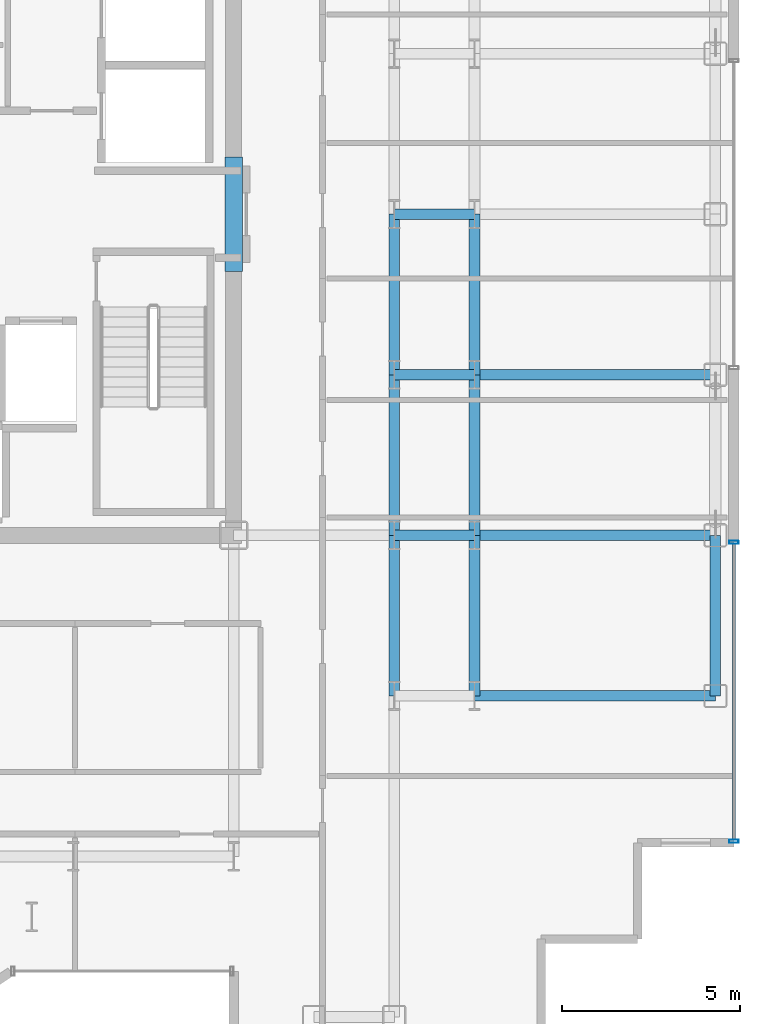
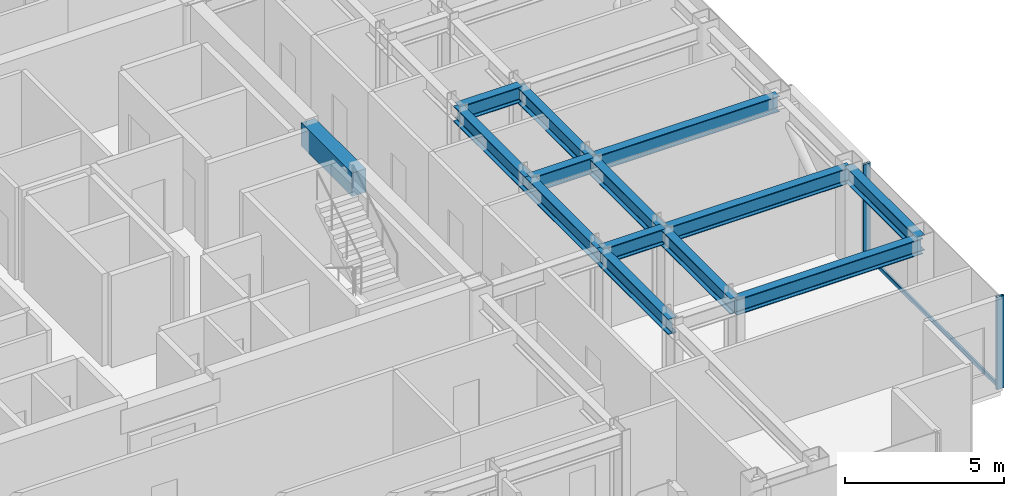
# One storey, part 7 of 21: 14 beams, 3 members, 1 element without a shape of its own.
"""IFC4 building model written with IfcOpenShell, lengths in metres."""

import ifcopenshell
import ifcopenshell.guid

model = None  # the IFC model being written
_history = None  # IfcOwnerHistory: only IFC2X3 demands one
_inside = {}  # id of a spatial element -> (the spatial element, [elements in it])
_under = {}  # id of a project, library or spatial element -> (it, [spatial elements below it])
_declared = {}  # id of a project -> (the project, [libraries it declares])
_typed = {}  # id of a type object -> (the type object, [elements of that type])
_made_of = {}  # id of a material, layer set ... -> (it, [elements and type objects made of it])


def new_model(schema):
    """Start an empty IFC model of exactly this schema.

    Asked for "IFC4X3", IfcOpenShell would pick the latest addendum, in which some entities
    have other attributes; the version numbers below select the first issue.
    IFC2X3 requires an IfcOwnerHistory on every rooted entity: one is made here for all.
    """
    global model, _history
    if schema == "IFC4X3":
        model = ifcopenshell.file(schema_version=(4, 3, 0, 0))
    else:
        model = ifcopenshell.file(schema=schema)
    _inside.clear()
    _under.clear()
    _declared.clear()
    _typed.clear()
    _made_of.clear()
    _history = None
    if model.schema == "IFC2X3":
        org = make("IfcOrganization", Name="unknown")
        user = make(
            "IfcPersonAndOrganization",
            ThePerson=make("IfcPerson", FamilyName="unknown"),
            TheOrganization=org,
        )
        app = make(
            "IfcApplication",
            ApplicationDeveloper=org,
            Version="unknown",
            ApplicationFullName="unknown",
            ApplicationIdentifier="unknown",
        )
        _history = make(
            "IfcOwnerHistory",
            OwningUser=user,
            OwningApplication=app,
            ChangeAction="ADDED",
            CreationDate=0,
        )
    return model


def make(cls, **values):
    """One entity of the class cls with the attributes given. An attribute that is None is left unset."""
    return model.create_entity(
        cls, **{name: value for name, value in values.items() if value is not None}
    )


def rooted(cls, **values):
    """An entity with a GlobalId (a new one), such as an element, a storey or a relation."""
    return make(cls, GlobalId=ifcopenshell.guid.new(), OwnerHistory=_history, **values)


def si_unit(unit_type, name, prefix=None):
    """IfcSIUnit, for example si_unit("LENGTHUNIT", "METRE", prefix="MILLI")."""
    return make("IfcSIUnit", UnitType=unit_type, Prefix=prefix, Name=name)


def assignment(units):
    """IfcUnitAssignment: the units of a project."""
    return None if units is None else make("IfcUnitAssignment", Units=units)


def point(xyz):
    """IfcCartesianPoint."""
    return None if xyz is None else make("IfcCartesianPoint", Coordinates=xyz)


def direction(xyz):
    """IfcDirection."""
    return None if xyz is None else make("IfcDirection", DirectionRatios=xyz)


def frame(location, z_axis=None, x_axis=None):
    """IfcAxis2Placement3D, a coordinate frame: its origin and axes. An axis left out is left unset."""
    return make(
        "IfcAxis2Placement3D",
        Location=point(location),
        Axis=direction(z_axis),
        RefDirection=direction(x_axis),
    )


def frame_2d(location, x_axis=None):
    """IfcAxis2Placement2D, a coordinate frame in the plane: its origin and x axis."""
    return make(
        "IfcAxis2Placement2D", Location=point(location), RefDirection=direction(x_axis)
    )


def origin():
    """The frame at (0, 0, 0) with its axes left unset."""
    return frame((0.0, 0.0, 0.0))


def origin_2d():
    """The frame at (0, 0) in the plane with its x axis left unset."""
    return frame_2d((0.0, 0.0))


def place(relative_to, where):
    """IfcLocalPlacement: puts the frame where relative to a parent placement (None: the world)."""
    return make(
        "IfcLocalPlacement", PlacementRelTo=relative_to, RelativePlacement=where
    )


def context(
    kind, dimensions, precision=None, world=None, true_north=None, identifier=None
):
    """IfcGeometricRepresentationContext, for example the 3D "Model" context."""
    return make(
        "IfcGeometricRepresentationContext",
        ContextIdentifier=identifier,
        ContextType=kind,
        CoordinateSpaceDimension=dimensions,
        Precision=precision,
        WorldCoordinateSystem=world,
        TrueNorth=true_north,
    )


def subcontext(parent, identifier, kind, view, scale=None):
    """IfcGeometricRepresentationSubContext, for example "Body" below "Model"."""
    return make(
        "IfcGeometricRepresentationSubContext",
        ContextIdentifier=identifier,
        ContextType=kind,
        ParentContext=parent,
        TargetScale=scale,
        TargetView=view,
    )


def project(units=None, contexts=None):
    """IfcProject with its units and contexts."""
    return rooted(
        "IfcProject",
        Name="project",
        RepresentationContexts=contexts,
        UnitsInContext=assignment(units),
    )


def spatial(cls, under=None, at=None, **own):
    """A site, building, storey or space (cls), placed at a placement, below another one or the project."""
    s = rooted(cls, ObjectPlacement=at, **own)
    if under is not None:
        _under.setdefault(under.id(), (under, []))[1].append(s)
    return s


def profile(cls, at=None, kind="AREA", **sizes):
    """A parametric profile (cls). Its sizes go by their IFC names, for example OverallWidth=200.0."""
    return make(cls, ProfileType=kind, Position=at, **sizes)


def rectangle(**sizes):
    """IfcRectangleProfileDef."""
    return profile("IfcRectangleProfileDef", **sizes)


def hollow_rectangle(**sizes):
    """IfcRectangleHollowProfileDef."""
    return profile("IfcRectangleHollowProfileDef", **sizes)


def i_section(**sizes):
    """IfcIShapeProfileDef."""
    return profile("IfcIShapeProfileDef", **sizes)


def extrude(swept, where, along, depth):
    """IfcExtrudedAreaSolid: the profile swept, set in the frame where, extruded along a direction by depth."""
    return make(
        "IfcExtrudedAreaSolid",
        SweptArea=swept,
        Position=where,
        ExtrudedDirection=direction(along),
        Depth=depth,
    )


def shape(context_of_items, identifier, shape_type, items):
    """IfcShapeRepresentation: the items that make up one representation, for example the "Body"."""
    return make(
        "IfcShapeRepresentation",
        ContextOfItems=context_of_items,
        RepresentationIdentifier=identifier,
        RepresentationType=shape_type,
        Items=items,
    )


def source(mapping_origin, context_of_items, identifier, shape_type, items):
    """IfcRepresentationMap: a shape defined once, which mapped items show again and again."""
    return make(
        "IfcRepresentationMap",
        MappingOrigin=mapping_origin,
        MappedRepresentation=shape(context_of_items, identifier, shape_type, items),
    )


def transform(
    local_origin,
    x_axis=None,
    y_axis=None,
    z_axis=None,
    scale=None,
    scale2=None,
    scale3=None,
    uniform=True,
):
    """IfcCartesianTransformationOperator3D, or its non-uniform kind. x_axis, y_axis, z_axis: its Axis1, 2, 3."""
    if uniform:
        return make(
            "IfcCartesianTransformationOperator3D",
            Axis1=direction(x_axis),
            Axis2=direction(y_axis),
            LocalOrigin=point(local_origin),
            Scale=scale,
            Axis3=direction(z_axis),
        )
    return make(
        "IfcCartesianTransformationOperator3DnonUniform",
        Axis1=direction(x_axis),
        Axis2=direction(y_axis),
        LocalOrigin=point(local_origin),
        Scale=scale,
        Axis3=direction(z_axis),
        Scale2=scale2,
        Scale3=scale3,
    )


def mapped(mapping_source, mapping_target):
    """IfcMappedItem: shows the shape of a source again, moved by a transform."""
    return make(
        "IfcMappedItem", MappingSource=mapping_source, MappingTarget=mapping_target
    )


def material(Name=None, Category=None):
    """IfcMaterial."""
    return make("IfcMaterial", Name=Name, Category=Category)


def layer(
    of_material, thickness, ventilated=None, Name=None, Category=None, Priority=None
):
    """IfcMaterialLayer: one layer of a wall or slab, of a material (None: an air gap)."""
    return make(
        "IfcMaterialLayer",
        Material=of_material,
        LayerThickness=thickness,
        IsVentilated=ventilated,
        Name=Name,
        Category=Category,
        Priority=Priority,
    )


def layer_set(layers, Name=None):
    """IfcMaterialLayerSet."""
    return make("IfcMaterialLayerSet", MaterialLayers=layers, LayerSetName=Name)


def material_profile(
    of_material, cross_section, Name=None, Category=None, Priority=None
):
    """IfcMaterialProfile: a cross section and its material."""
    return make(
        "IfcMaterialProfile",
        Name=Name,
        Material=of_material,
        Profile=cross_section,
        Priority=Priority,
        Category=Category,
    )


def profile_set(profiles, Name=None, composite=None):
    """IfcMaterialProfileSet."""
    return make(
        "IfcMaterialProfileSet",
        Name=Name,
        MaterialProfiles=profiles,
        CompositeProfile=composite,
    )


def made_of(thing, what):
    """Note that an element or type object is made of a material, layer set ...; save() writes the relation."""
    if what is not None:
        _made_of.setdefault(what.id(), (what, []))[1].append(thing)
    return thing


def type_object(cls, material=None, **own):
    """A type object (cls), such as IfcWallType, which elements share."""
    return made_of(rooted(cls, **own), material)


def element(
    cls,
    number,
    at=None,
    inside=None,
    cuts=None,
    type_object=None,
    material=None,
    context=None,
    identifier="Body",
    shape_type=None,
    held_by="IfcProductDefinitionShape",
    body=None,
    shapes=None,
    **own,
):
    """One element of the class cls, such as IfcWall. Its Tag is "e" and its number.

    at: its placement. inside: the storey or other place that contains it. cuts: it is an
    opening in that element (IfcRelVoidsElement). A single representation is given by context,
    identifier, shape_type and body (its items); several are given by shapes. held_by: the class
    of the entity that holds the representations. save() writes the other relations.
    """
    e = rooted(cls, Tag="e%d" % number, ObjectPlacement=at, **own)
    if body is not None:
        shapes = [shape(context, identifier, shape_type, body)]
    if shapes is not None:
        e.Representation = make(held_by, Representations=shapes)
    if inside is not None:
        _inside.setdefault(inside.id(), (inside, []))[1].append(e)
    if cuts is not None:
        rooted(
            "IfcRelVoidsElement", RelatingBuildingElement=cuts, RelatedOpeningElement=e
        )
    if type_object is not None:
        _typed.setdefault(type_object.id(), (type_object, []))[1].append(e)
    return made_of(e, material)


def aggregate(whole, parts):
    """IfcRelAggregates: a whole, such as a stair, and the parts it consists of."""
    return rooted("IfcRelAggregates", RelatingObject=whole, RelatedObjects=parts)


def save(model, path):
    """Write the relations noted so far, then the file.

    IfcRelAggregates (storeys below a building ...), IfcRelContainedInSpatialStructure (elements
    in a storey), IfcRelDefinesByType, IfcRelAssociatesMaterial and IfcRelDeclares: one each for
    every whole, place, type object, material and project.
    """
    for whole, parts in _under.values():
        aggregate(whole, parts)
    for where, things in _inside.values():
        rooted(
            "IfcRelContainedInSpatialStructure",
            RelatedElements=things,
            RelatingStructure=where,
        )
    for kind, things in _typed.values():
        rooted("IfcRelDefinesByType", RelatedObjects=things, RelatingType=kind)
    for what, things in _made_of.values():
        rooted("IfcRelAssociatesMaterial", RelatedObjects=things, RelatingMaterial=what)
    for by, libraries in _declared.values():
        rooted("IfcRelDeclares", RelatingContext=by, RelatedDefinitions=libraries)
    model.write(path)


model = new_model("IFC4")

# Units and contexts
model_context = context("Model", 3, precision=1e-05, world=origin(), true_north=direction((0.0, 1.0)))
body_context = subcontext(model_context, "Body", "Model", "MODEL_VIEW")
ifc_project = project(units=[si_unit("LENGTHUNIT", "METRE"), si_unit("AREAUNIT", "SQUARE_METRE"), si_unit("VOLUMEUNIT", "CUBIC_METRE"), si_unit("PLANEANGLEUNIT", "RADIAN"), si_unit("MASSUNIT", "GRAM", prefix="KILO")], contexts=[model_context])

# Site, building, storey
site_placement = place(None, origin())
site = spatial("IfcSite", under=ifc_project, at=site_placement, CompositionType="ELEMENT")
building_placement = place(site_placement, origin())
building = spatial("IfcBuilding", under=site, at=building_placement, Name="Nefas-Gora Pilgrimage Tower", CompositionType="ELEMENT")
storey_placement = place(building_placement, frame((0.0, 0.0, 252.199951171875)))
storey = spatial("IfcBuildingStorey", under=building, at=storey_placement, Name="L63", CompositionType="ELEMENT", Elevation=252.199951171875)

# Beams
ifc_material_1 = material(Name="Concrete C50/60", Category="concrete")
ifc_material_profile_1 = material_profile(ifc_material_1, rectangle(XDim=0.5, YDim=0.89990234375, at=origin_2d()), Name="RC 500x900")
ifc_profile_set_1 = profile_set([ifc_material_profile_1], Name="Concrete C50/60")
beam_type_1 = type_object("IfcBeamType", Name="BM-LIN-RC900", PredefinedType="LINTEL", material=ifc_profile_set_1)
shared_shape_1 = source(origin(), body_context, "Body", "SweptSolid", [
    extrude(rectangle(XDim=0.5, YDim=0.89990234375, at=origin_2d()), origin(), (0.0, 0.0, 1.0), 3.2001953125),
])
beam_1_placement = place(storey_placement, frame((11.25, -1.60009765625, 3.10009765625), z_axis=(0.0, 1.0, 0.0), x_axis=(-1.0, 0.0, 0.0)))
element("IfcBeam", 1, at=beam_1_placement, inside=storey, type_object=beam_type_1, Name="L63 Core Coupling Lintel Beam E", PredefinedType="LINTEL", context=body_context, shape_type="MappedRepresentation", body=[
    mapped(shared_shape_1, transform((0.0, 0.0, 0.0), x_axis=(1.0, 0.0, 0.0), y_axis=(0.0, 1.0, 0.0), z_axis=(0.0, 0.0, 1.0), scale=1.0)),
])
ifc_material_2 = material(Name="Steel S355", Category="steel")
ifc_material_profile_2 = material_profile(ifc_material_2, i_section(OverallWidth=0.300048828125, OverallDepth=0.60009765625, WebThickness=0.015380859375, FlangeThickness=0.030029296875, FilletRadius=0.027099609375, at=origin_2d()), Name="HEB 600")
ifc_profile_set_2 = profile_set([ifc_material_profile_2], Name="Steel S355")
beam_type_2 = type_object("IfcBeamType", Name="BM-SPN-HEB450", PredefinedType="SPANDREL", material=ifc_profile_set_2)
shared_shape_2 = source(origin(), body_context, "Body", "SweptSolid", [
    extrude(i_section(OverallWidth=0.300048828125, OverallDepth=0.60009765625, WebThickness=0.015380859375, FlangeThickness=0.030029296875, FilletRadius=0.027099609375, at=origin_2d()), origin(), (0.0, 0.0, 1.0), 4.5),
])
beam_2_placement = place(storey_placement, frame((24.75, -13.5, 3.25), z_axis=(0.0, 1.0, 0.0), x_axis=(-1.0, 0.0, 0.0)))
element("IfcBeam", 2, at=beam_2_placement, inside=storey, type_object=beam_type_2, Name="L63 SP-03 beam", PredefinedType="SPANDREL", context=body_context, shape_type="MappedRepresentation", body=[
    mapped(shared_shape_2, transform((0.0, 0.0, 0.0), x_axis=(1.0, 0.0, 0.0), y_axis=(0.0, 1.0, 0.0), z_axis=(0.0, 0.0, 1.0), scale=1.0)),
])
ifc_material_profile_3 = material_profile(ifc_material_2, i_section(OverallWidth=0.300048828125, OverallDepth=0.60009765625, WebThickness=0.015380859375, FlangeThickness=0.030029296875, FilletRadius=0.027099609375, at=origin_2d()), Name="HEB 600")
ifc_profile_set_3 = profile_set([ifc_material_profile_3], Name="Steel S355")
beam_type_3 = type_object("IfcBeamType", Name="BM-GIR-HEB600", PredefinedType="BEAM", material=ifc_profile_set_3)
shared_shape_3 = source(origin(), body_context, "Body", "SweptSolid", [
    extrude(i_section(OverallWidth=0.300048828125, OverallDepth=0.60009765625, WebThickness=0.015380859375, FlangeThickness=0.030029296875, FilletRadius=0.027099609375, at=origin_2d()), origin(), (0.0, 0.0, 1.0), 4.5),
])
for number, where, z_axis, x_axis, name in (
    (3, (15.75, -13.5, 3.25), (0.0, 1.0, 0.0), (-1.0, 0.0, 0.0), "L63 G-04 beam"),
    (4, (15.75, -9.0, 3.25), (0.0, 1.0, 0.0), (-1.0, 0.0, 0.0), "L63 G-04 beam"),
    (5, (15.75, -4.5, 3.25), (0.0, 1.0, 0.0), (-1.0, 0.0, 0.0), "L63 G-04 beam"),
    (6, (18.0, -13.5, 3.25), (0.0, 1.0, 0.0), (-1.0, 0.0, 0.0), "L63 G-04 beam"),
    (7, (18.0, -9.0, 3.25), (0.0, 1.0, 0.0), (-1.0, 0.0, 0.0), "L63 G-04 beam"),
    (8, (18.0, -4.5, 3.25), (0.0, 1.0, 0.0), (-1.0, 0.0, 0.0), "L63 G-04 beam"),
):
    element("IfcBeam", number, at=place(storey_placement, frame(where, z_axis=z_axis, x_axis=x_axis)), inside=storey, type_object=beam_type_3, Name=name, PredefinedType="BEAM", context=body_context, shape_type="MappedRepresentation", body=[
        mapped(shared_shape_3, transform((0.0, 0.0, 0.0), x_axis=(1.0, 0.0, 0.0), y_axis=(0.0, 1.0, 0.0), z_axis=(0.0, 0.0, 1.0), scale=1.0)),
    ])
shared_shape_4 = source(origin(), body_context, "Body", "SweptSolid", [
    extrude(i_section(OverallWidth=0.300048828125, OverallDepth=0.60009765625, WebThickness=0.015380859375, FlangeThickness=0.030029296875, FilletRadius=0.027099609375, at=origin_2d()), origin(), (0.0, 0.0, 1.0), 6.75),
])
for number, where, z_axis, x_axis, name in (
    (9, (18.0, -13.5, 3.25), (1.0, 0.0, 0.0), (0.0, 1.0, 0.0), "L63 G-04 beam"),
    (10, (18.0, -9.0, 3.25), (1.0, 0.0, 0.0), (0.0, 1.0, 0.0), "L63 G-04 beam"),
    (11, (18.0, -4.5, 3.25), (1.0, 0.0, 0.0), (0.0, 1.0, 0.0), "L63 G-04 beam"),
):
    element("IfcBeam", number, at=place(storey_placement, frame(where, z_axis=z_axis, x_axis=x_axis)), inside=storey, type_object=beam_type_3, Name=name, PredefinedType="BEAM", context=body_context, shape_type="MappedRepresentation", body=[
        mapped(shared_shape_4, transform((0.0, 0.0, 0.0), x_axis=(1.0, 0.0, 0.0), y_axis=(0.0, 1.0, 0.0), z_axis=(0.0, 0.0, 1.0), scale=1.0)),
    ])
shared_shape_5 = source(origin(), body_context, "Body", "SweptSolid", [
    extrude(i_section(OverallWidth=0.300048828125, OverallDepth=0.60009765625, WebThickness=0.015380859375, FlangeThickness=0.030029296875, FilletRadius=0.027099609375, at=origin_2d()), origin(), (0.0, 0.0, 1.0), 2.25),
])
for number, where, z_axis, x_axis, name in (
    (12, (15.75, -9.0, 3.25), (1.0, 0.0, 0.0), (0.0, 1.0, 0.0), "L63 G-04 beam"),
    (13, (15.75, -4.5, 3.25), (1.0, 0.0, 0.0), (0.0, 1.0, 0.0), "L63 G-04 beam"),
    (14, (15.75, 0.0, 3.25), (1.0, 0.0, 0.0), (0.0, 1.0, 0.0), "L63 G-04 beam"),
):
    element("IfcBeam", number, at=place(storey_placement, frame(where, z_axis=z_axis, x_axis=x_axis)), inside=storey, type_object=beam_type_3, Name=name, PredefinedType="BEAM", context=body_context, shape_type="MappedRepresentation", body=[
        mapped(shared_shape_5, transform((0.0, 0.0, 0.0), x_axis=(1.0, 0.0, 0.0), y_axis=(0.0, 1.0, 0.0), z_axis=(0.0, 0.0, 1.0), scale=1.0)),
    ])

# Curtain wall, members
ifc_material_3 = material(Name="Dark ceramic-fritted solar-control aluminium-glass curtain wall", Category="aluminium")
ifc_layer = layer(ifc_material_3, 0.219970703125)
ifc_layer_set = layer_set([ifc_layer], Name="Dark ceramic-fritted solar-control aluminium-glass curtain wall")
curtain_wall_type = type_object("IfcCurtainWallType", Name="CW-SYS-3", PredefinedType="NOTDEFINED", material=ifc_layer_set)
curtain_wall_placement = place(storey_placement, origin())
curtain_wall = element("IfcCurtainWall", 15, at=curtain_wall_placement, inside=storey, type_object=curtain_wall_type, Name="L63 Unitised Curtain Wall CW3", PredefinedType="NOTDEFINED")
ifc_material_4 = material(Name="Anodised architectural aluminium", Category="aluminium")
ifc_material_profile_4 = material_profile(ifc_material_4, hollow_rectangle(XDim=0.090087890625, YDim=0.260009765625, WallThickness=0.006103515625, InnerFilletRadius=0.006103515625, OuterFilletRadius=0.011962890625, at=origin_2d()), Name="ALU MULLION 90x260")
ifc_profile_set_4 = profile_set([ifc_material_profile_4], Name="Anodised architectural aluminium")
member_type_1 = type_object("IfcMemberType", Name="CWM-MUL-3", PredefinedType="MULLION", material=ifc_profile_set_4)
shared_shape_6 = source(origin(), body_context, "Body", "SweptSolid", [
    extrude(hollow_rectangle(XDim=0.090087890625, YDim=0.260009765625, WallThickness=0.006103515625, InnerFilletRadius=0.006103515625, OuterFilletRadius=0.011962890625, at=origin_2d()), origin(), (0.0, 0.0, 1.0), 3.550048828125),
])
member_1_placement = place(storey_placement, frame((25.27001953125, -17.574951171875, 0.0), z_axis=(0.0, 0.0, 1.0), x_axis=(0.0, 1.0, 0.0)))
member_1 = element("IfcMember", 16, at=member_1_placement, type_object=member_type_1, Name="CW3 Mullion 1", PredefinedType="MULLION", context=body_context, shape_type="MappedRepresentation", body=[
    mapped(shared_shape_6, transform((0.0, 0.0, 0.0), x_axis=(1.0, 0.0, 0.0), y_axis=(0.0, 1.0, 0.0), z_axis=(0.0, 0.0, 1.0), scale=1.0)),
])
member_2_placement = place(storey_placement, frame((25.27001953125, -9.195068359375, 0.0), z_axis=(0.0, 0.0, 1.0), x_axis=(0.0, 1.0, 0.0)))
member_2 = element("IfcMember", 17, at=member_2_placement, type_object=member_type_1, Name="CW3 Mullion 2", PredefinedType="MULLION", context=body_context, shape_type="MappedRepresentation", body=[
    mapped(shared_shape_6, transform((0.0, 0.0, 0.0), x_axis=(1.0, 0.0, 0.0), y_axis=(0.0, 1.0, 0.0), z_axis=(0.0, 0.0, 1.0), scale=1.0)),
])
ifc_material_profile_5 = material_profile(ifc_material_4, hollow_rectangle(XDim=0.080078125, YDim=0.159912109375, WallThickness=0.00439453125, InnerFilletRadius=0.00439453125, OuterFilletRadius=0.009033203125, at=origin_2d()), Name="ALU TRANSOM 80x160")
ifc_profile_set_5 = profile_set([ifc_material_profile_5], Name="Anodised architectural aluminium")
member_type_2 = type_object("IfcMemberType", Name="CWM-TRN-3", PredefinedType="USERDEFINED", material=ifc_profile_set_5)
shared_shape_7 = source(origin(), body_context, "Body", "SweptSolid", [
    extrude(hollow_rectangle(XDim=0.080078125, YDim=0.159912109375, WallThickness=0.00439453125, InnerFilletRadius=0.00439453125, OuterFilletRadius=0.009033203125, at=origin_2d()), origin(), (0.0, 0.0, 1.0), 8.2900390625),
])
member_3_placement = place(storey_placement, frame((25.27001953125, -17.530029296875, 0.050048828125), z_axis=(0.0, 1.0, 0.0), x_axis=(-1.0, 0.0, 0.0)))
member_3 = element("IfcMember", 18, at=member_3_placement, type_object=member_type_2, Name="CW3 Spandrel Transom", ObjectType="TRANSOM", PredefinedType="USERDEFINED", context=body_context, shape_type="MappedRepresentation", body=[
    mapped(shared_shape_7, transform((0.0, 0.0, 0.0), x_axis=(1.0, 0.0, 0.0), y_axis=(0.0, 1.0, 0.0), z_axis=(0.0, 0.0, 1.0), scale=1.0)),
])
aggregate(curtain_wall, [member_1, member_2, member_3])

save(model, "model.ifc")
